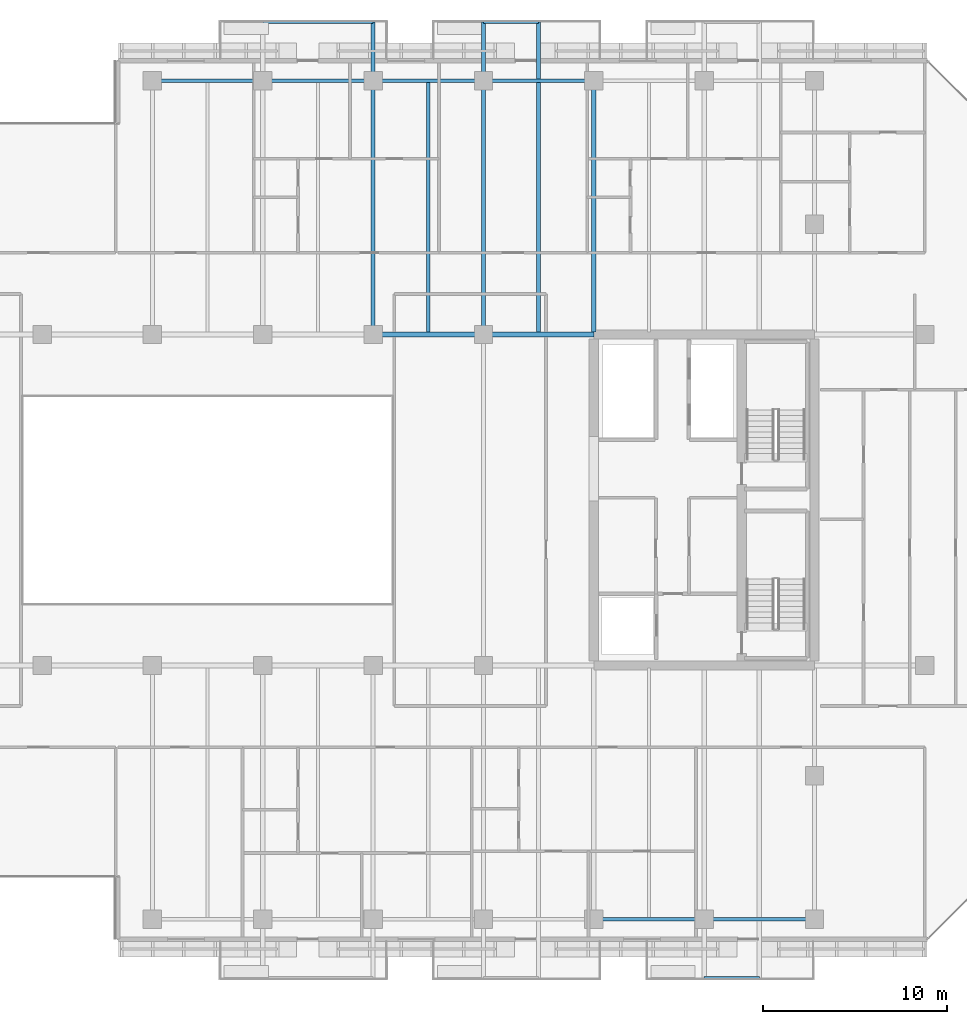
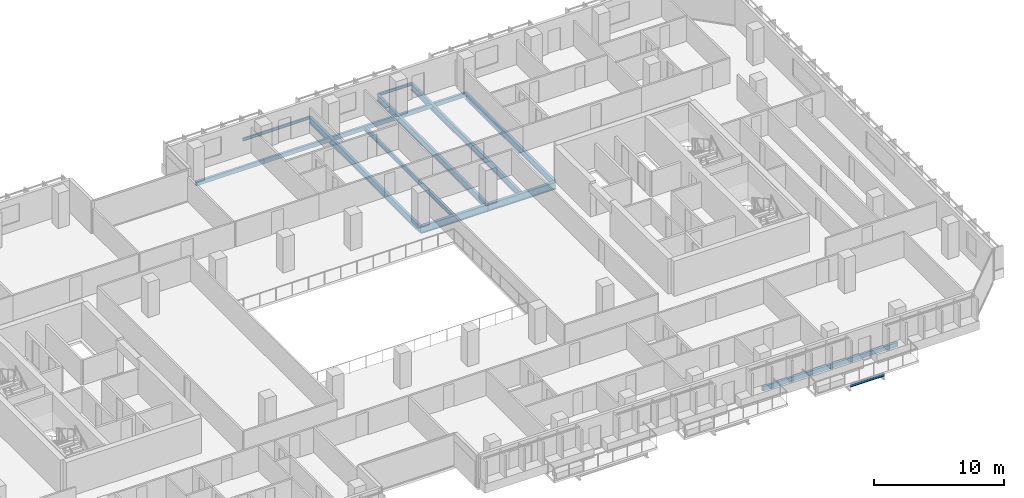
# One storey, part 14 of 35: 16 beams.
"""IFC4 building model written with IfcOpenShell, lengths in metres."""

from ifc_helpers import new_model, si_unit, direction, frame, origin, origin_2d, place, context, subcontext, project, spatial, hollow_rectangle, i_section, extrude, material, material_profile, profile_set, type_object, element, save


model = new_model("IFC4")

# Units and contexts
model_context = context("Model", 3, precision=1e-05, world=origin(), true_north=direction((0.0, 1.0)))
body_context = subcontext(model_context, "Body", "Model", "MODEL_VIEW")
ifc_project = project(units=[si_unit("LENGTHUNIT", "METRE"), si_unit("AREAUNIT", "SQUARE_METRE"), si_unit("VOLUMEUNIT", "CUBIC_METRE"), si_unit("PLANEANGLEUNIT", "RADIAN"), si_unit("MASSUNIT", "GRAM", prefix="KILO")], contexts=[model_context])

# Site, building, storey
site_placement = place(None, origin())
site = spatial("IfcSite", under=ifc_project, at=site_placement, CompositionType="ELEMENT")
building_placement = place(site_placement, origin())
building = spatial("IfcBuilding", under=site, at=building_placement, Name="Tanjung Sevakor Pilgrim Tower", CompositionType="ELEMENT")
storey_placement = place(building_placement, frame((0.0, 0.0, 92.070068359375)))
storey = spatial("IfcBuildingStorey", under=building, at=storey_placement, Name="L25", CompositionType="ELEMENT", Elevation=92.070068359375)

# Beams
ifc_material_1 = material(Name="Steel S355J2", Category="steel")
ifc_material_profile_1 = material_profile(ifc_material_1, i_section(OverallWidth=0.25439453125, OverallDepth=0.6875, WebThickness=0.01318359375, FlangeThickness=0.02099609375, FilletRadius=0.01513671875, at=origin_2d()))
ifc_profile_set_1 = profile_set([ifc_material_profile_1], Name="Steel S355J2")
beam_type_1 = type_object("IfcBeamType", Name="BM-B-G2-UB_686x254x152", PredefinedType="BEAM", material=ifc_profile_set_1)
for number, where, z_axis, x_axis, name in (
    (1, (66.0, 42.60009765625, -0.56396484375), (1.0, 0.0, 0.0), (0.0, 1.0, 0.0), "L25 Primary Floor Girder MAIN Y426-07"),
    (2, (72.0, 42.60009765625, -0.56396484375), (1.0, 0.0, 0.0), (0.0, 1.0, 0.0), "L25 Primary Floor Girder MAIN Y426-08"),
):
    element("IfcBeam", number, at=place(storey_placement, frame(where, z_axis=z_axis, x_axis=x_axis)), inside=storey, type_object=beam_type_1, Name=name, PredefinedType="BEAM", context=body_context, shape_type="SweptSolid", body=[
        extrude(i_section(OverallWidth=0.25439453125, OverallDepth=0.6875, WebThickness=0.01318359375, FlangeThickness=0.02099609375, FilletRadius=0.01513671875, at=origin_2d()), origin(), (0.0, 0.0, 1.0), 6.0),
    ])
ifc_material_2 = material(Name="Steel S355J2", Category="steel")
ifc_material_profile_2 = material_profile(ifc_material_2, i_section(OverallWidth=0.230224609375, OverallDepth=0.6171875, WebThickness=0.01318359375, FlangeThickness=0.022216796875, FilletRadius=0.0126953125, at=origin_2d()))
ifc_profile_set_2 = profile_set([ifc_material_profile_2], Name="Steel S355J2")
beam_type_2 = type_object("IfcBeamType", Name="BM-B-G3-UB_610x229x140", PredefinedType="BEAM", material=ifc_profile_set_2)
for number, where, z_axis, x_axis, name in (
    (3, (66.0, 42.60009765625, -0.528564453125), (0.0, 1.0, 0.0), (-1.0, 0.0, 0.0), "L25 Balcony Cantilever Beam MAIN-N2-2"),
    (4, (72.0, 42.60009765625, -0.528564453125), (0.0, 1.0, 0.0), (-1.0, 0.0, 0.0), "L25 Balcony Cantilever Beam MAIN-N3-1"),
):
    element("IfcBeam", number, at=place(storey_placement, frame(where, z_axis=z_axis, x_axis=x_axis)), inside=storey, type_object=beam_type_2, Name=name, PredefinedType="BEAM", context=body_context, shape_type="SweptSolid", body=[
        extrude(i_section(OverallWidth=0.230224609375, OverallDepth=0.6171875, WebThickness=0.01318359375, FlangeThickness=0.022216796875, FilletRadius=0.0126953125, at=origin_2d()), origin(), (0.0, 0.0, 1.0), 16.97998046875),
    ])
beam_1_placement = place(storey_placement, frame((78.0, 42.727294921875, -0.528564453125), z_axis=(0.0, 1.0, 0.0), x_axis=(-1.0, 0.0, 0.0)))
element("IfcBeam", 5, at=beam_1_placement, inside=storey, type_object=beam_type_2, Name="L25 MAIN Girder 022", PredefinedType="BEAM", context=body_context, shape_type="SweptSolid", body=[
    extrude(i_section(OverallWidth=0.230224609375, OverallDepth=0.6171875, WebThickness=0.01318359375, FlangeThickness=0.022216796875, FilletRadius=0.0126953125, at=origin_2d()), origin(), (0.0, 0.0, 1.0), 13.672607421875),
])
ifc_material_3 = material(Name="Steel S355J2", Category="steel")
ifc_material_profile_3 = material_profile(ifc_material_3, i_section(OverallWidth=0.22900390625, OverallDepth=0.6123046875, WebThickness=0.011962890625, FlangeThickness=0.01953125, FilletRadius=0.0126953125, at=origin_2d()))
ifc_profile_set_3 = profile_set([ifc_material_profile_3], Name="Steel S355J2")
beam_type_3 = type_object("IfcBeamType", Name="BM-B-G4-UB_610x229x125", PredefinedType="BEAM", material=ifc_profile_set_3)
beam_2_placement = place(storey_placement, frame((75.0, 42.727294921875, -0.526123046875), z_axis=(0.0, 1.0, 0.0), x_axis=(-1.0, 0.0, 0.0)))
element("IfcBeam", 6, at=beam_2_placement, inside=storey, type_object=beam_type_3, Name="L25 Balcony Cantilever Beam MAIN-N3-2", PredefinedType="BEAM", context=body_context, shape_type="SweptSolid", body=[
    extrude(i_section(OverallWidth=0.22900390625, OverallDepth=0.6123046875, WebThickness=0.011962890625, FlangeThickness=0.01953125, FilletRadius=0.0126953125, at=origin_2d()), origin(), (0.0, 0.0, 1.0), 16.852783203125),
])
ifc_material_4 = material(Name="Steel S355J2", Category="steel")
ifc_material_profile_4 = material_profile(ifc_material_4, i_section(OverallWidth=0.1787109375, OverallDepth=0.409423828125, WebThickness=0.0087890625, FlangeThickness=0.014404296875, FilletRadius=0.01025390625, at=origin_2d()))
ifc_profile_set_4 = profile_set([ifc_material_profile_4], Name="Steel S355J2")
beam_type_4 = type_object("IfcBeamType", Name="BM-B-J3-UB_406x178x67", PredefinedType="JOIST", material=ifc_profile_set_4)
beam_3_placement = place(storey_placement, frame((69.0, 42.727294921875, -0.4248046875), z_axis=(0.0, 1.0, 0.0), x_axis=(-1.0, 0.0, 0.0)))
element("IfcBeam", 7, at=beam_3_placement, inside=storey, type_object=beam_type_4, Name="L25 MAIN Joist 019", PredefinedType="JOIST", context=body_context, shape_type="SweptSolid", body=[
    extrude(i_section(OverallWidth=0.1787109375, OverallDepth=0.409423828125, WebThickness=0.0087890625, FlangeThickness=0.014404296875, FilletRadius=0.01025390625, at=origin_2d()), origin(), (0.0, 0.0, 1.0), 13.57275390625),
])
ifc_material_5 = material(Name="Steel S355J2", Category="steel")
ifc_material_profile_5 = material_profile(ifc_material_5, i_section(OverallWidth=0.146484375, OverallDepth=0.256103515625, WebThickness=0.00634765625, FlangeThickness=0.010986328125, FilletRadius=0.007568359375, at=origin_2d()))
ifc_profile_set_5 = profile_set([ifc_material_profile_5], Name="Steel S355J2")
beam_type_5 = type_object("IfcBeamType", Name="BM-B-J6-UB_254x146x37", PredefinedType="JOIST", material=ifc_profile_set_5)
beam_4_placement = place(storey_placement, frame((60.0, 59.580078125, -0.328125), z_axis=(1.0, 0.0, 0.0), x_axis=(0.0, 1.0, 0.0)))
element("IfcBeam", 8, at=beam_4_placement, inside=storey, type_object=beam_type_5, Name="L25 Balcony Rim Tie MAIN-N2", PredefinedType="JOIST", context=body_context, shape_type="SweptSolid", body=[
    extrude(i_section(OverallWidth=0.146484375, OverallDepth=0.256103515625, WebThickness=0.00634765625, FlangeThickness=0.010986328125, FilletRadius=0.007568359375, at=origin_2d()), origin(), (0.0, 0.0, 1.0), 6.0),
])
for number, where, z_axis, x_axis, name in (
    (9, (72.0, 59.580078125, -0.328125), (1.0, 0.0, 0.0), (0.0, 1.0, 0.0), "L25 Balcony Rim Tie MAIN-N3"),
    (10, (84.0, 7.6201171875, -0.328125), (1.0, 0.0, 0.0), (0.0, 1.0, 0.0), "L25 Balcony Rim Tie MAIN-S4"),
):
    element("IfcBeam", number, at=place(storey_placement, frame(where, z_axis=z_axis, x_axis=x_axis)), inside=storey, type_object=beam_type_5, Name=name, PredefinedType="JOIST", context=body_context, shape_type="SweptSolid", body=[
        extrude(i_section(OverallWidth=0.146484375, OverallDepth=0.256103515625, WebThickness=0.00634765625, FlangeThickness=0.010986328125, FilletRadius=0.007568359375, at=origin_2d()), origin(), (0.0, 0.0, 1.0), 3.0),
    ])
ifc_material_6 = material(Name="Steel S355J2", Category="steel")
ifc_material_profile_6 = material_profile(ifc_material_6, hollow_rectangle(XDim=0.199951171875, YDim=0.39990234375, WallThickness=0.01611328125, at=origin_2d()))
ifc_profile_set_6 = profile_set([ifc_material_profile_6], Name="Steel S355J2")
beam_type_6 = type_object("IfcBeamType", Name="BM-B-SP2-RHS_400x200x16", PredefinedType="SPANDREL", material=ifc_profile_set_6)
for number, where, z_axis, x_axis, name in (
    (11, (54.0, 56.39990234375, -0.420166015625), (1.0, 0.0, 0.0), (0.0, 1.0, 0.0), "L25 Spandrel MAIN N-08"),
    (12, (60.0, 56.39990234375, -0.420166015625), (1.0, 0.0, 0.0), (0.0, 1.0, 0.0), "L25 Spandrel MAIN N-10"),
    (13, (66.0, 56.39990234375, -0.420166015625), (1.0, 0.0, 0.0), (0.0, 1.0, 0.0), "L25 Spandrel MAIN N-12"),
    (14, (72.0, 56.39990234375, -0.420166015625), (1.0, 0.0, 0.0), (0.0, 1.0, 0.0), "L25 Spandrel MAIN N-14"),
    (15, (78.0, 10.800048828125, -0.420166015625), (1.0, 0.0, 0.0), (0.0, 1.0, 0.0), "L25 Spandrel MAIN S-15"),
    (16, (84.0, 10.800048828125, -0.420166015625), (1.0, 0.0, 0.0), (0.0, 1.0, 0.0), "L25 Spandrel MAIN S-17"),
):
    element("IfcBeam", number, at=place(storey_placement, frame(where, z_axis=z_axis, x_axis=x_axis)), inside=storey, type_object=beam_type_6, Name=name, PredefinedType="SPANDREL", context=body_context, shape_type="SweptSolid", body=[
        extrude(hollow_rectangle(XDim=0.199951171875, YDim=0.39990234375, WallThickness=0.01611328125, at=origin_2d()), origin(), (0.0, 0.0, 1.0), 6.0),
    ])

save(model, "model.ifc")
